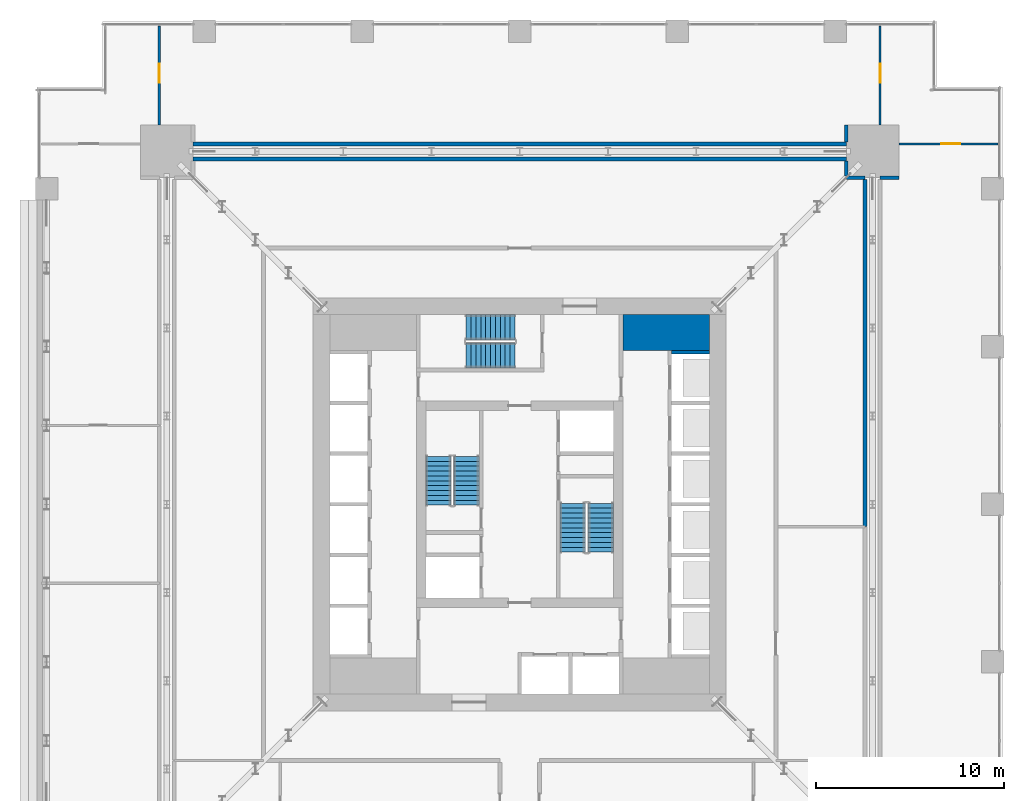
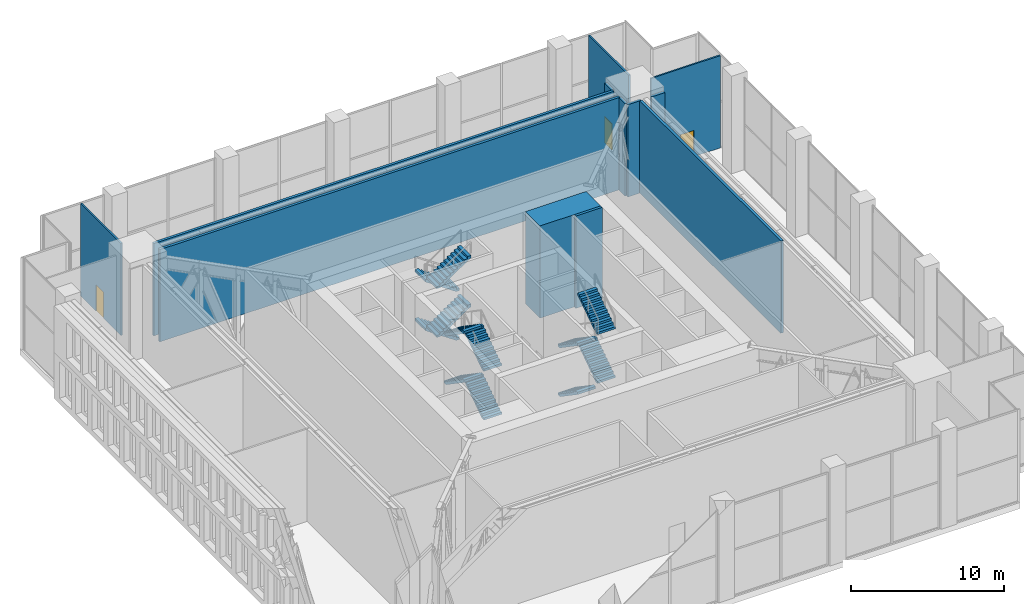
# One storey, part 18 of 21: 12 stair flights, 12 walls, 3 doors, 3 openings, 3 elements without a shape of their own.
"""IFC4 building model written with IfcOpenShell, lengths in metres."""

from ifc_helpers import new_model, si_unit, direction, frame, frame_2d, origin, place, context, subcontext, project, spatial, polyline, rectangle, outline, extrude, material, layer, layer_set, type_object, element, fill, aggregate, save


model = new_model("IFC4")

# Units and contexts
model_context = context("Model", 3, precision=1e-05, world=origin(), true_north=direction((0.0, 1.0)))
body_context = subcontext(model_context, "Body", "Model", "MODEL_VIEW")
ifc_project = project(units=[si_unit("LENGTHUNIT", "METRE"), si_unit("AREAUNIT", "SQUARE_METRE"), si_unit("VOLUMEUNIT", "CUBIC_METRE"), si_unit("PLANEANGLEUNIT", "RADIAN"), si_unit("MASSUNIT", "GRAM", prefix="KILO")], contexts=[model_context])

# Site, building, storey
site_placement = place(None, origin())
site = spatial("IfcSite", under=ifc_project, at=site_placement, CompositionType="ELEMENT")
building_placement = place(site_placement, origin())
building = spatial("IfcBuilding", under=site, at=building_placement, Name="Khepri Terraces", CompositionType="ELEMENT")
storey_placement = place(building_placement, frame((0.0, 0.0, 126.0)))
storey = spatial("IfcBuildingStorey", under=building, at=storey_placement, Name="L30", CompositionType="ELEMENT", Elevation=126.0)

# Walls
ifc_material_1 = material(Name="Concrete C70/85", Category="concrete")
ifc_layer_1 = layer(ifc_material_1, 1.89990234375, Name="Concrete C70/85", Category="concrete")
ifc_layer_set_1 = layer_set([ifc_layer_1], Name="Concrete C70/85")
wall_type_1 = type_object("IfcWallType", Name="Core wall 1900 C70/85", PredefinedType="SHEAR", material=ifc_layer_set_1)
wall_1_placement = place(storey_placement, frame((5.5, 9.14990234375, 0.0), z_axis=(0.0, 0.0, 1.0), x_axis=(1.0, 0.0, 0.0)))
element("IfcWall", 1, at=wall_1_placement, inside=storey, type_object=wall_type_1, Name="Core wall PR04 L30", PredefinedType="SHEAR", context=body_context, shape_type="SweptSolid", body=[
    extrude(rectangle(XDim=4.60009765625, YDim=1.89990234375, at=frame_2d((2.300048828125, 0.0))), origin(), (0.0, 0.0, 1.0), 7.3798828125),
])
ifc_layer_2 = layer(ifc_material_1, 0.199951171875, Name="Concrete C70/85", Category="concrete")
ifc_layer_set_2 = layer_set([ifc_layer_2], Name="Concrete C70/85")
wall_type_2 = type_object("IfcWallType", Name="Core wall 200 C70/85", PredefinedType="SHEAR", material=ifc_layer_set_2)
wall_2_placement = place(storey_placement, frame((8.10009765625, 8.10009765625, 0.0), z_axis=(0.0, 0.0, 1.0), x_axis=(1.0, 0.0, 0.0)))
element("IfcWall", 2, at=wall_2_placement, inside=storey, type_object=wall_type_2, Name="Core wall SH25 L30", PredefinedType="SHEAR", context=body_context, shape_type="SweptSolid", body=[
    extrude(rectangle(XDim=2.0, YDim=0.199951171875, at=frame_2d((1.0, 0.0))), origin(), (0.0, 0.0, 1.0), 7.3798828125),
])
ifc_material_2 = material(Name="Fire-rated gypsum plasterboard partition, mineral wool")
ifc_layer_3 = layer(ifc_material_2, 0.199951171875, Name="Fire-rated gypsum plasterboard partition, mineral wool")
ifc_layer_set_3 = layer_set([ifc_layer_3], Name="Fire-rated gypsum plasterboard partition, mineral wool")
wall_type_3 = type_object("IfcWallType", Name="WL-CORR-200", PredefinedType="PARTITIONING", material=ifc_layer_set_3)
wall_3_placement = place(storey_placement, frame((18.39990234375, -1.179931640625, 0.0), z_axis=(0.0, 0.0, 1.0), x_axis=(0.0, 1.0, 0.0)))
element("IfcWall", 3, at=wall_3_placement, inside=storey, type_object=wall_type_3, Name="Partition P-039 L30", PredefinedType="PARTITIONING", context=body_context, shape_type="SweptSolid", body=[
    extrude(rectangle(XDim=18.47998046875, YDim=0.199951171875, at=frame_2d((9.239990234375, 0.0))), origin(), (0.0, 0.0, 1.0), 7.3798828125),
])
for number, where, z_axis, x_axis, name in (
    (4, (17.39990234375, 17.39990234375, 0.0), (0.0, 0.0, 1.0), (1.0, 0.0, 0.0), "Partition P-045 L30"),
    (5, (19.199951171875, 17.39990234375, 0.0), (0.0, 0.0, 1.0), (1.0, 0.0, 0.0), "Partition P-046 L30"),
):
    element("IfcWall", number, at=place(storey_placement, frame(where, z_axis=z_axis, x_axis=x_axis)), inside=storey, type_object=wall_type_3, Name=name, PredefinedType="PARTITIONING", context=body_context, shape_type="SweptSolid", body=[
        extrude(rectangle(XDim=1.0, YDim=0.199951171875, at=frame_2d((0.5, 0.0))), origin(), (0.0, 0.0, 1.0), 7.3798828125),
    ])
wall_4_placement = place(storey_placement, frame((17.39990234375, 17.5, 0.0), z_axis=(0.0, 0.0, 1.0), x_axis=(0.0, 1.0, 0.0)))
element("IfcWall", 6, at=wall_4_placement, inside=storey, type_object=wall_type_3, Name="Partition P-048 L30", PredefinedType="PARTITIONING", context=body_context, shape_type="SweptSolid", body=[
    extrude(rectangle(XDim=0.800048828125, YDim=0.199951171875, at=frame_2d((0.39990234375, 0.0))), origin(), (0.0, 0.0, 1.0), 7.3798828125),
])
for number, where, z_axis, x_axis, name in (
    (7, (-17.39990234375, 18.39990234375, 0.0), (0.0, 0.0, 1.0), (1.0, 0.0, 0.0), "Partition P-049 L30"),
    (8, (-17.39990234375, 19.199951171875, 0.0), (0.0, 0.0, 1.0), (1.0, 0.0, 0.0), "Partition P-051 L30"),
):
    element("IfcWall", number, at=place(storey_placement, frame(where, z_axis=z_axis, x_axis=x_axis)), inside=storey, type_object=wall_type_3, Name=name, PredefinedType="PARTITIONING", context=body_context, shape_type="SweptSolid", body=[
        extrude(rectangle(XDim=34.7998046875, YDim=0.199951171875, at=frame_2d((17.39990234375, 0.0))), origin(), (0.0, 0.0, 1.0), 7.3798828125),
    ])
wall_5_placement = place(storey_placement, frame((17.39990234375, 19.300048828125, 0.0), z_axis=(0.0, 0.0, 1.0), x_axis=(0.0, 1.0, 0.0)))
element("IfcWall", 9, at=wall_5_placement, inside=storey, type_object=wall_type_3, Name="Partition P-054 L30", PredefinedType="PARTITIONING", context=body_context, shape_type="SweptSolid", body=[
    extrude(rectangle(XDim=0.89990234375, YDim=0.199951171875, at=frame_2d((0.449951171875, 0.0))), origin(), (0.0, 0.0, 1.0), 7.3798828125),
])

# Wall, opening, door
ifc_material_3 = material(Name="Gypsum plasterboard partition")
ifc_layer_4 = layer(ifc_material_3, 0.1201171875, Name="Gypsum plasterboard partition")
ifc_layer_set_4 = layer_set([ifc_layer_4], Name="Gypsum plasterboard partition")
wall_type_4 = type_object("IfcWallType", Name="WL-PART-120", PredefinedType="PARTITIONING", material=ifc_layer_set_4)
wall_6_placement = place(storey_placement, frame((20.199951171875, 19.199951171875, 0.0), z_axis=(0.0, 0.0, 1.0), x_axis=(1.0, 0.0, 0.0)))
wall_6 = element("IfcWall", 10, at=wall_6_placement, inside=storey, type_object=wall_type_4, Name="Partition P-052 L30", PredefinedType="PARTITIONING", context=body_context, shape_type="SweptSolid", body=[
    extrude(rectangle(XDim=5.27001953125, YDim=0.1201171875, at=frame_2d((2.635009765625, 0.0))), origin(), (0.0, 0.0, 1.0), 7.3798828125),
])
opening_1_placement = place(wall_6_placement, frame((2.260009765625, 0.0, 0.0)))
opening_1 = element("IfcOpeningElement", 11, at=opening_1_placement, cuts=wall_6, Name="Opening D2", PredefinedType="OPENING", context=body_context, shape_type="SweptSolid", body=[
    extrude(rectangle(XDim=1.0, YDim=2.10009765625, at=frame_2d((0.5, 1.050048828125))), frame((0.0, 0.070068359375, 0.0), z_axis=(0.0, -1.0, 0.0), x_axis=(1.0, 0.0, 0.0)), (0.0, 0.0, 1.0), 0.14013671875),
])
ifc_material_4 = material(Name="Timber door leaf, living room door", Category="wood")
door_type = type_object("IfcDoorType", Name="DR-INT-1000", OperationType="NOTDEFINED", PredefinedType="DOOR", material=ifc_material_4)
door_1_placement = place(opening_1_placement, origin())
door_1 = element("IfcDoor", 12, at=door_1_placement, inside=storey, type_object=door_type, Name="Door Sky Library", OperationType="SINGLE_SWING_RIGHT", OverallHeight=2.10009765625, OverallWidth=1.0, PredefinedType="DOOR", context=body_context, shape_type="SweptSolid", body=[
    extrude(rectangle(XDim=1.0, YDim=2.10009765625, at=frame_2d((0.5, 1.050048828125))), frame((0.0, 0.02490234375, 0.0), z_axis=(0.0, -1.0, 0.0), x_axis=(1.0, 0.0, 0.0)), (0.0, 0.0, 1.0), 0.050048828125),
])
fill(opening_1, door_1)

wall_7_placement = place(storey_placement, frame((-19.199951171875, 20.199951171875, 0.0), z_axis=(0.0, 0.0, 1.0), x_axis=(0.0, 1.0, 0.0)))
wall_7 = element("IfcWall", 13, at=wall_7_placement, inside=storey, type_object=wall_type_4, Name="Partition P-055 L30", PredefinedType="PARTITIONING", context=body_context, shape_type="SweptSolid", body=[
    extrude(rectangle(XDim=5.27001953125, YDim=0.1201171875, at=frame_2d((2.635009765625, 0.0))), origin(), (0.0, 0.0, 1.0), 7.3798828125),
])
opening_2_placement = place(wall_7_placement, frame((2.260009765625, 0.0, 0.0)))
opening_2 = element("IfcOpeningElement", 14, at=opening_2_placement, cuts=wall_7, Name="Opening D2", PredefinedType="OPENING", context=body_context, shape_type="SweptSolid", body=[
    extrude(rectangle(XDim=1.0, YDim=2.10009765625, at=frame_2d((0.5, 1.050048828125))), frame((0.0, 0.070068359375, 0.0), z_axis=(0.0, -1.0, 0.0), x_axis=(1.0, 0.0, 0.0)), (0.0, 0.0, 1.0), 0.14013671875),
])
door_2_placement = place(opening_2_placement, origin())
door_2 = element("IfcDoor", 15, at=door_2_placement, inside=storey, type_object=door_type, Name="Door Sky Bar", OperationType="SINGLE_SWING_RIGHT", OverallHeight=2.10009765625, OverallWidth=1.0, PredefinedType="DOOR", context=body_context, shape_type="SweptSolid", body=[
    extrude(rectangle(XDim=1.0, YDim=2.10009765625, at=frame_2d((0.5, 1.050048828125))), frame((0.0, 0.02490234375, 0.0), z_axis=(0.0, -1.0, 0.0), x_axis=(1.0, 0.0, 0.0)), (0.0, 0.0, 1.0), 0.050048828125),
])
fill(opening_2, door_2)

wall_8_placement = place(storey_placement, frame((19.199951171875, 20.199951171875, 0.0), z_axis=(0.0, 0.0, 1.0), x_axis=(0.0, 1.0, 0.0)))
wall_8 = element("IfcWall", 16, at=wall_8_placement, inside=storey, type_object=wall_type_4, Name="Partition P-056 L30", PredefinedType="PARTITIONING", context=body_context, shape_type="SweptSolid", body=[
    extrude(rectangle(XDim=5.27001953125, YDim=0.1201171875, at=frame_2d((2.635009765625, 0.0))), origin(), (0.0, 0.0, 1.0), 7.3798828125),
])
opening_3_placement = place(wall_8_placement, frame((2.260009765625, 0.0, 0.0)))
opening_3 = element("IfcOpeningElement", 17, at=opening_3_placement, cuts=wall_8, Name="Opening D2", PredefinedType="OPENING", context=body_context, shape_type="SweptSolid", body=[
    extrude(rectangle(XDim=1.0, YDim=2.10009765625, at=frame_2d((0.5, 1.050048828125))), frame((0.0, 0.070068359375, 0.0), z_axis=(0.0, -1.0, 0.0), x_axis=(1.0, 0.0, 0.0)), (0.0, 0.0, 1.0), 0.14013671875),
])
door_3_placement = place(opening_3_placement, origin())
door_3 = element("IfcDoor", 18, at=door_3_placement, inside=storey, type_object=door_type, Name="Door Sky Gymnasium", OperationType="SINGLE_SWING_RIGHT", OverallHeight=2.10009765625, OverallWidth=1.0, PredefinedType="DOOR", context=body_context, shape_type="SweptSolid", body=[
    extrude(rectangle(XDim=1.0, YDim=2.10009765625, at=frame_2d((0.5, 1.050048828125))), frame((0.0, 0.02490234375, 0.0), z_axis=(0.0, -1.0, 0.0), x_axis=(1.0, 0.0, 0.0)), (0.0, 0.0, 1.0), 0.050048828125),
])
fill(opening_3, door_3)

# Stair, stair flights
ifc_material_5 = material(Name="Concrete C40/50", Category="concrete")
stair_type = type_object("IfcStairType", Name="STAIR-RC-44R", PredefinedType="HALF_TURN_STAIR", material=ifc_material_5)
stair_1_placement = place(storey_placement, origin())
stair_1 = element("IfcStair", 19, at=stair_1_placement, inside=storey, type_object=stair_type, Name="L30 Exit Stair ST-1", PredefinedType="HALF_TURN_STAIR")
stair_flight_type = type_object("IfcStairFlightType", Name="SFL-RC-177.3", PredefinedType="STRAIGHT", material=ifc_material_5)
stair_flight_1_placement = place(storey_placement, frame((-2.824951171875, -0.050048828125, 0.0), z_axis=(0.0, 0.0, 1.0), x_axis=(0.0, 1.0, 0.0)))
stair_flight_1 = element("IfcStairFlight", 20, at=stair_flight_1_placement, type_object=stair_flight_type, Name="ST-1 flight 1", NumberOfRisers=11, NumberOfTreads=10, PredefinedType="STRAIGHT", RiserHeight=0.177272727, TreadLength=0.26, context=body_context, shape_type="SweptSolid", body=[
    extrude(outline(polyline([(0.0, 0.0), (0.0, 0.17724609375), (0.260009765625, 0.17724609375), (0.260009765625, 0.3544921875), (0.52001953125, 0.3544921875), (0.52001953125, 0.53173828125), (0.780029296875, 0.53173828125), (0.780029296875, 0.708984375), (1.0400390625, 0.708984375), (1.0400390625, 0.886474609375), (1.300048828125, 0.886474609375), (1.300048828125, 1.063720703125), (1.56005859375, 1.063720703125), (1.56005859375, 1.240966796875), (1.820068359375, 1.240966796875), (1.820068359375, 1.418212890625), (2.080078125, 1.418212890625), (2.080078125, 1.595458984375), (2.340087890625, 1.595458984375), (2.340087890625, 1.772705078125), (2.60009765625, 1.772705078125), (2.60009765625, 1.949951171875), (2.60009765625, 1.59130859375), (0.26611328125, 0.0), (0.0, 0.0)])), frame((0.0, 0.675048828125, 0.0), z_axis=(0.0, -1.0, 0.0), x_axis=(1.0, 0.0, 0.0)), (0.0, 0.0, 1.0), 1.35009765625),
])
stair_flight_2_placement = place(storey_placement, frame((-4.324951171875, 2.550048828125, 1.949951171875), z_axis=(0.0, 0.0, 1.0), x_axis=(0.0, -1.0, 0.0)))
stair_flight_2 = element("IfcStairFlight", 21, at=stair_flight_2_placement, type_object=stair_flight_type, Name="ST-1 flight 2", NumberOfRisers=11, NumberOfTreads=10, PredefinedType="STRAIGHT", RiserHeight=0.177272727, TreadLength=0.26, context=body_context, shape_type="SweptSolid", body=[
    extrude(outline(polyline([(0.0, 0.0), (0.0, 0.17724609375), (0.260009765625, 0.17724609375), (0.260009765625, 0.3544921875), (0.52001953125, 0.3544921875), (0.52001953125, 0.53173828125), (0.780029296875, 0.53173828125), (0.780029296875, 0.708984375), (1.0400390625, 0.708984375), (1.0400390625, 0.886474609375), (1.300048828125, 0.886474609375), (1.300048828125, 1.063720703125), (1.56005859375, 1.063720703125), (1.56005859375, 1.240966796875), (1.820068359375, 1.240966796875), (1.820068359375, 1.418212890625), (2.080078125, 1.418212890625), (2.080078125, 1.595458984375), (2.340087890625, 1.595458984375), (2.340087890625, 1.772705078125), (2.60009765625, 1.772705078125), (2.60009765625, 1.949951171875), (2.60009765625, 1.59130859375), (0.26611328125, 0.0), (0.0, 0.0)])), frame((0.0, 0.675048828125, 0.0), z_axis=(0.0, -1.0, 0.0), x_axis=(1.0, 0.0, 0.0)), (0.0, 0.0, 1.0), 1.35009765625),
])
stair_flight_3_placement = place(storey_placement, frame((-2.824951171875, -0.050048828125, 3.89990234375), z_axis=(0.0, 0.0, 1.0), x_axis=(0.0, 1.0, 0.0)))
stair_flight_3 = element("IfcStairFlight", 22, at=stair_flight_3_placement, type_object=stair_flight_type, Name="ST-1 flight 3", NumberOfRisers=11, NumberOfTreads=10, PredefinedType="STRAIGHT", RiserHeight=0.177272727, TreadLength=0.26, context=body_context, shape_type="SweptSolid", body=[
    extrude(outline(polyline([(0.0, 0.0), (0.0, 0.17724609375), (0.260009765625, 0.17724609375), (0.260009765625, 0.3544921875), (0.52001953125, 0.3544921875), (0.52001953125, 0.53173828125), (0.780029296875, 0.53173828125), (0.780029296875, 0.708984375), (1.0400390625, 0.708984375), (1.0400390625, 0.886474609375), (1.300048828125, 0.886474609375), (1.300048828125, 1.063720703125), (1.56005859375, 1.063720703125), (1.56005859375, 1.240966796875), (1.820068359375, 1.240966796875), (1.820068359375, 1.418212890625), (2.080078125, 1.418212890625), (2.080078125, 1.595458984375), (2.340087890625, 1.595458984375), (2.340087890625, 1.772705078125), (2.60009765625, 1.772705078125), (2.60009765625, 1.949951171875), (2.60009765625, 1.59130859375), (0.26611328125, 0.0), (0.0, 0.0)])), frame((0.0, 0.675048828125, 0.0), z_axis=(0.0, -1.0, 0.0), x_axis=(1.0, 0.0, 0.0)), (0.0, 0.0, 1.0), 1.35009765625),
])
stair_flight_4_placement = place(storey_placement, frame((-4.324951171875, 2.550048828125, 5.85009765625), z_axis=(0.0, 0.0, 1.0), x_axis=(0.0, -1.0, 0.0)))
stair_flight_4 = element("IfcStairFlight", 23, at=stair_flight_4_placement, type_object=stair_flight_type, Name="ST-1 flight 4", NumberOfRisers=11, NumberOfTreads=10, PredefinedType="STRAIGHT", RiserHeight=0.177272727, TreadLength=0.26, context=body_context, shape_type="SweptSolid", body=[
    extrude(outline(polyline([(0.0, 0.0), (0.0, 0.17724609375), (0.260009765625, 0.17724609375), (0.260009765625, 0.3544921875), (0.52001953125, 0.3544921875), (0.52001953125, 0.53173828125), (0.780029296875, 0.53173828125), (0.780029296875, 0.708984375), (1.0400390625, 0.708984375), (1.0400390625, 0.886474609375), (1.300048828125, 0.886474609375), (1.300048828125, 1.063720703125), (1.56005859375, 1.063720703125), (1.56005859375, 1.240966796875), (1.820068359375, 1.240966796875), (1.820068359375, 1.418212890625), (2.080078125, 1.418212890625), (2.080078125, 1.595458984375), (2.340087890625, 1.595458984375), (2.340087890625, 1.772705078125), (2.60009765625, 1.772705078125), (2.60009765625, 1.949951171875), (2.60009765625, 1.59130859375), (0.26611328125, 0.0), (0.0, 0.0)])), frame((0.0, 0.675048828125, 0.0), z_axis=(0.0, -1.0, 0.0), x_axis=(1.0, 0.0, 0.0)), (0.0, 0.0, 1.0), 1.35009765625),
])
aggregate(stair_1, [stair_flight_1, stair_flight_2, stair_flight_3, stair_flight_4])

stair_2_placement = place(storey_placement, origin())
stair_2 = element("IfcStair", 24, at=stair_2_placement, inside=storey, type_object=stair_type, Name="L30 Exit Stair ST-2", PredefinedType="HALF_TURN_STAIR")
stair_flight_5_placement = place(storey_placement, frame((2.824951171875, 0.050048828125, 0.0), z_axis=(0.0, 0.0, 1.0), x_axis=(0.0, -1.0, 0.0)))
stair_flight_5 = element("IfcStairFlight", 25, at=stair_flight_5_placement, type_object=stair_flight_type, Name="ST-2 flight 1", NumberOfRisers=11, NumberOfTreads=10, PredefinedType="STRAIGHT", RiserHeight=0.177272727, TreadLength=0.26, context=body_context, shape_type="SweptSolid", body=[
    extrude(outline(polyline([(0.0, 0.0), (0.0, 0.17724609375), (0.260009765625, 0.17724609375), (0.260009765625, 0.3544921875), (0.52001953125, 0.3544921875), (0.52001953125, 0.53173828125), (0.780029296875, 0.53173828125), (0.780029296875, 0.708984375), (1.0400390625, 0.708984375), (1.0400390625, 0.886474609375), (1.300048828125, 0.886474609375), (1.300048828125, 1.063720703125), (1.56005859375, 1.063720703125), (1.56005859375, 1.240966796875), (1.820068359375, 1.240966796875), (1.820068359375, 1.418212890625), (2.080078125, 1.418212890625), (2.080078125, 1.595458984375), (2.340087890625, 1.595458984375), (2.340087890625, 1.772705078125), (2.60009765625, 1.772705078125), (2.60009765625, 1.949951171875), (2.60009765625, 1.59130859375), (0.26611328125, 0.0), (0.0, 0.0)])), frame((0.0, 0.675048828125, 0.0), z_axis=(0.0, -1.0, 0.0), x_axis=(1.0, 0.0, 0.0)), (0.0, 0.0, 1.0), 1.35009765625),
])
stair_flight_6_placement = place(storey_placement, frame((4.324951171875, -2.550048828125, 1.949951171875), z_axis=(0.0, 0.0, 1.0), x_axis=(0.0, 1.0, 0.0)))
stair_flight_6 = element("IfcStairFlight", 26, at=stair_flight_6_placement, type_object=stair_flight_type, Name="ST-2 flight 2", NumberOfRisers=11, NumberOfTreads=10, PredefinedType="STRAIGHT", RiserHeight=0.177272727, TreadLength=0.26, context=body_context, shape_type="SweptSolid", body=[
    extrude(outline(polyline([(0.0, 0.0), (0.0, 0.17724609375), (0.260009765625, 0.17724609375), (0.260009765625, 0.3544921875), (0.52001953125, 0.3544921875), (0.52001953125, 0.53173828125), (0.780029296875, 0.53173828125), (0.780029296875, 0.708984375), (1.0400390625, 0.708984375), (1.0400390625, 0.886474609375), (1.300048828125, 0.886474609375), (1.300048828125, 1.063720703125), (1.56005859375, 1.063720703125), (1.56005859375, 1.240966796875), (1.820068359375, 1.240966796875), (1.820068359375, 1.418212890625), (2.080078125, 1.418212890625), (2.080078125, 1.595458984375), (2.340087890625, 1.595458984375), (2.340087890625, 1.772705078125), (2.60009765625, 1.772705078125), (2.60009765625, 1.949951171875), (2.60009765625, 1.59130859375), (0.26611328125, 0.0), (0.0, 0.0)])), frame((0.0, 0.675048828125, 0.0), z_axis=(0.0, -1.0, 0.0), x_axis=(1.0, 0.0, 0.0)), (0.0, 0.0, 1.0), 1.35009765625),
])
stair_flight_7_placement = place(storey_placement, frame((2.824951171875, 0.050048828125, 3.89990234375), z_axis=(0.0, 0.0, 1.0), x_axis=(0.0, -1.0, 0.0)))
stair_flight_7 = element("IfcStairFlight", 27, at=stair_flight_7_placement, type_object=stair_flight_type, Name="ST-2 flight 3", NumberOfRisers=11, NumberOfTreads=10, PredefinedType="STRAIGHT", RiserHeight=0.177272727, TreadLength=0.26, context=body_context, shape_type="SweptSolid", body=[
    extrude(outline(polyline([(0.0, 0.0), (0.0, 0.17724609375), (0.260009765625, 0.17724609375), (0.260009765625, 0.3544921875), (0.52001953125, 0.3544921875), (0.52001953125, 0.53173828125), (0.780029296875, 0.53173828125), (0.780029296875, 0.708984375), (1.0400390625, 0.708984375), (1.0400390625, 0.886474609375), (1.300048828125, 0.886474609375), (1.300048828125, 1.063720703125), (1.56005859375, 1.063720703125), (1.56005859375, 1.240966796875), (1.820068359375, 1.240966796875), (1.820068359375, 1.418212890625), (2.080078125, 1.418212890625), (2.080078125, 1.595458984375), (2.340087890625, 1.595458984375), (2.340087890625, 1.772705078125), (2.60009765625, 1.772705078125), (2.60009765625, 1.949951171875), (2.60009765625, 1.59130859375), (0.26611328125, 0.0), (0.0, 0.0)])), frame((0.0, 0.675048828125, 0.0), z_axis=(0.0, -1.0, 0.0), x_axis=(1.0, 0.0, 0.0)), (0.0, 0.0, 1.0), 1.35009765625),
])
stair_flight_8_placement = place(storey_placement, frame((4.324951171875, -2.550048828125, 5.85009765625), z_axis=(0.0, 0.0, 1.0), x_axis=(0.0, 1.0, 0.0)))
stair_flight_8 = element("IfcStairFlight", 28, at=stair_flight_8_placement, type_object=stair_flight_type, Name="ST-2 flight 4", NumberOfRisers=11, NumberOfTreads=10, PredefinedType="STRAIGHT", RiserHeight=0.177272727, TreadLength=0.26, context=body_context, shape_type="SweptSolid", body=[
    extrude(outline(polyline([(0.0, 0.0), (0.0, 0.17724609375), (0.260009765625, 0.17724609375), (0.260009765625, 0.3544921875), (0.52001953125, 0.3544921875), (0.52001953125, 0.53173828125), (0.780029296875, 0.53173828125), (0.780029296875, 0.708984375), (1.0400390625, 0.708984375), (1.0400390625, 0.886474609375), (1.300048828125, 0.886474609375), (1.300048828125, 1.063720703125), (1.56005859375, 1.063720703125), (1.56005859375, 1.240966796875), (1.820068359375, 1.240966796875), (1.820068359375, 1.418212890625), (2.080078125, 1.418212890625), (2.080078125, 1.595458984375), (2.340087890625, 1.595458984375), (2.340087890625, 1.772705078125), (2.60009765625, 1.772705078125), (2.60009765625, 1.949951171875), (2.60009765625, 1.59130859375), (0.26611328125, 0.0), (0.0, 0.0)])), frame((0.0, 0.675048828125, 0.0), z_axis=(0.0, -1.0, 0.0), x_axis=(1.0, 0.0, 0.0)), (0.0, 0.0, 1.0), 1.35009765625),
])
aggregate(stair_2, [stair_flight_5, stair_flight_6, stair_flight_7, stair_flight_8])

stair_3_placement = place(storey_placement, origin())
stair_3 = element("IfcStair", 29, at=stair_3_placement, inside=storey, type_object=stair_type, Name="L30 Exit Stair ST-3", PredefinedType="HALF_TURN_STAIR")
stair_flight_9_placement = place(storey_placement, frame((-0.25, 9.425048828125, 0.0), z_axis=(0.0, 0.0, 1.0), x_axis=(-1.0, 0.0, 0.0)))
stair_flight_9 = element("IfcStairFlight", 30, at=stair_flight_9_placement, type_object=stair_flight_type, Name="ST-3 flight 1", NumberOfRisers=11, NumberOfTreads=10, PredefinedType="STRAIGHT", RiserHeight=0.177272727, TreadLength=0.26, context=body_context, shape_type="SweptSolid", body=[
    extrude(outline(polyline([(0.0, 0.0), (0.0, 0.17724609375), (0.260009765625, 0.17724609375), (0.260009765625, 0.3544921875), (0.52001953125, 0.3544921875), (0.52001953125, 0.53173828125), (0.780029296875, 0.53173828125), (0.780029296875, 0.708984375), (1.0400390625, 0.708984375), (1.0400390625, 0.886474609375), (1.300048828125, 0.886474609375), (1.300048828125, 1.063720703125), (1.56005859375, 1.063720703125), (1.56005859375, 1.240966796875), (1.820068359375, 1.240966796875), (1.820068359375, 1.418212890625), (2.080078125, 1.418212890625), (2.080078125, 1.595458984375), (2.340087890625, 1.595458984375), (2.340087890625, 1.772705078125), (2.60009765625, 1.772705078125), (2.60009765625, 1.949951171875), (2.60009765625, 1.59130859375), (0.26611328125, 0.0), (0.0, 0.0)])), frame((0.0, 0.675048828125, 0.0), z_axis=(0.0, -1.0, 0.0), x_axis=(1.0, 0.0, 0.0)), (0.0, 0.0, 1.0), 1.35009765625),
])
stair_flight_10_placement = place(storey_placement, frame((-2.85009765625, 7.925048828125, 1.949951171875), z_axis=(0.0, 0.0, 1.0), x_axis=(1.0, 0.0, 0.0)))
stair_flight_10 = element("IfcStairFlight", 31, at=stair_flight_10_placement, type_object=stair_flight_type, Name="ST-3 flight 2", NumberOfRisers=11, NumberOfTreads=10, PredefinedType="STRAIGHT", RiserHeight=0.177272727, TreadLength=0.26, context=body_context, shape_type="SweptSolid", body=[
    extrude(outline(polyline([(0.0, 0.0), (0.0, 0.17724609375), (0.260009765625, 0.17724609375), (0.260009765625, 0.3544921875), (0.52001953125, 0.3544921875), (0.52001953125, 0.53173828125), (0.780029296875, 0.53173828125), (0.780029296875, 0.708984375), (1.0400390625, 0.708984375), (1.0400390625, 0.886474609375), (1.300048828125, 0.886474609375), (1.300048828125, 1.063720703125), (1.56005859375, 1.063720703125), (1.56005859375, 1.240966796875), (1.820068359375, 1.240966796875), (1.820068359375, 1.418212890625), (2.080078125, 1.418212890625), (2.080078125, 1.595458984375), (2.340087890625, 1.595458984375), (2.340087890625, 1.772705078125), (2.60009765625, 1.772705078125), (2.60009765625, 1.949951171875), (2.60009765625, 1.59130859375), (0.26611328125, 0.0), (0.0, 0.0)])), frame((0.0, 0.675048828125, 0.0), z_axis=(0.0, -1.0, 0.0), x_axis=(1.0, 0.0, 0.0)), (0.0, 0.0, 1.0), 1.35009765625),
])
stair_flight_11_placement = place(storey_placement, frame((-0.25, 9.425048828125, 3.89990234375), z_axis=(0.0, 0.0, 1.0), x_axis=(-1.0, 0.0, 0.0)))
stair_flight_11 = element("IfcStairFlight", 32, at=stair_flight_11_placement, type_object=stair_flight_type, Name="ST-3 flight 3", NumberOfRisers=11, NumberOfTreads=10, PredefinedType="STRAIGHT", RiserHeight=0.177272727, TreadLength=0.26, context=body_context, shape_type="SweptSolid", body=[
    extrude(outline(polyline([(0.0, 0.0), (0.0, 0.17724609375), (0.260009765625, 0.17724609375), (0.260009765625, 0.3544921875), (0.52001953125, 0.3544921875), (0.52001953125, 0.53173828125), (0.780029296875, 0.53173828125), (0.780029296875, 0.708984375), (1.0400390625, 0.708984375), (1.0400390625, 0.886474609375), (1.300048828125, 0.886474609375), (1.300048828125, 1.063720703125), (1.56005859375, 1.063720703125), (1.56005859375, 1.240966796875), (1.820068359375, 1.240966796875), (1.820068359375, 1.418212890625), (2.080078125, 1.418212890625), (2.080078125, 1.595458984375), (2.340087890625, 1.595458984375), (2.340087890625, 1.772705078125), (2.60009765625, 1.772705078125), (2.60009765625, 1.949951171875), (2.60009765625, 1.59130859375), (0.26611328125, 0.0), (0.0, 0.0)])), frame((0.0, 0.675048828125, 0.0), z_axis=(0.0, -1.0, 0.0), x_axis=(1.0, 0.0, 0.0)), (0.0, 0.0, 1.0), 1.35009765625),
])
stair_flight_12_placement = place(storey_placement, frame((-2.85009765625, 7.925048828125, 5.85009765625), z_axis=(0.0, 0.0, 1.0), x_axis=(1.0, 0.0, 0.0)))
stair_flight_12 = element("IfcStairFlight", 33, at=stair_flight_12_placement, type_object=stair_flight_type, Name="ST-3 flight 4", NumberOfRisers=11, NumberOfTreads=10, PredefinedType="STRAIGHT", RiserHeight=0.177272727, TreadLength=0.26, context=body_context, shape_type="SweptSolid", body=[
    extrude(outline(polyline([(0.0, 0.0), (0.0, 0.17724609375), (0.260009765625, 0.17724609375), (0.260009765625, 0.3544921875), (0.52001953125, 0.3544921875), (0.52001953125, 0.53173828125), (0.780029296875, 0.53173828125), (0.780029296875, 0.708984375), (1.0400390625, 0.708984375), (1.0400390625, 0.886474609375), (1.300048828125, 0.886474609375), (1.300048828125, 1.063720703125), (1.56005859375, 1.063720703125), (1.56005859375, 1.240966796875), (1.820068359375, 1.240966796875), (1.820068359375, 1.418212890625), (2.080078125, 1.418212890625), (2.080078125, 1.595458984375), (2.340087890625, 1.595458984375), (2.340087890625, 1.772705078125), (2.60009765625, 1.772705078125), (2.60009765625, 1.949951171875), (2.60009765625, 1.59130859375), (0.26611328125, 0.0), (0.0, 0.0)])), frame((0.0, 0.675048828125, 0.0), z_axis=(0.0, -1.0, 0.0), x_axis=(1.0, 0.0, 0.0)), (0.0, 0.0, 1.0), 1.35009765625),
])
aggregate(stair_3, [stair_flight_9, stair_flight_10, stair_flight_11, stair_flight_12])

save(model, "model.ifc")
